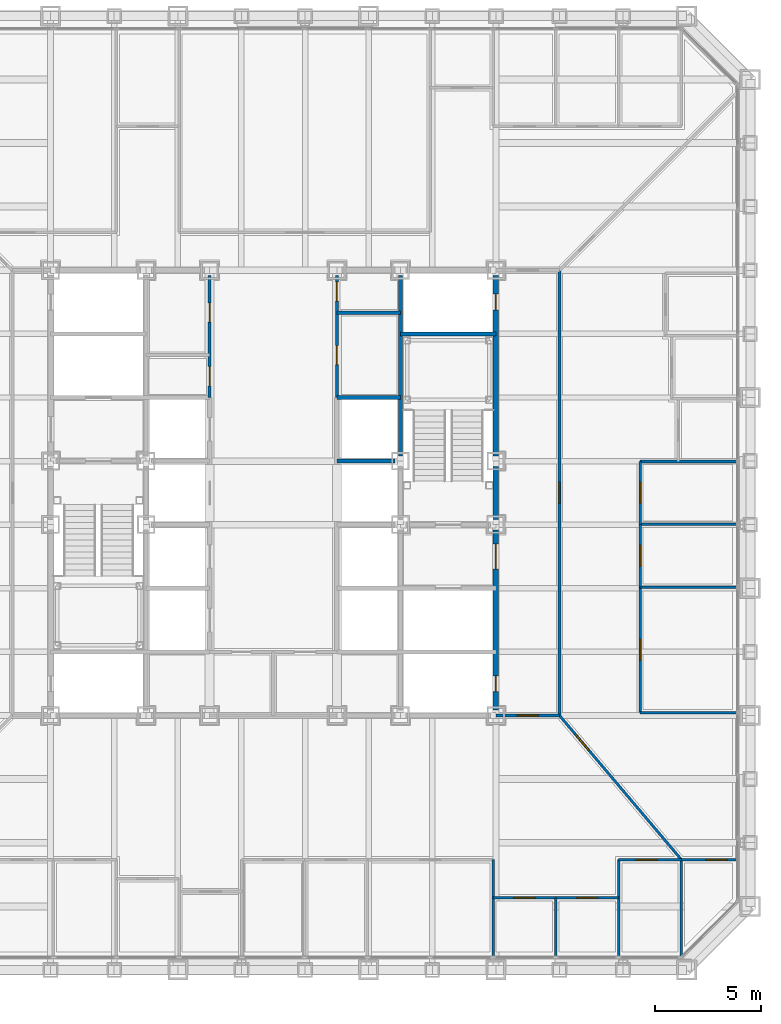
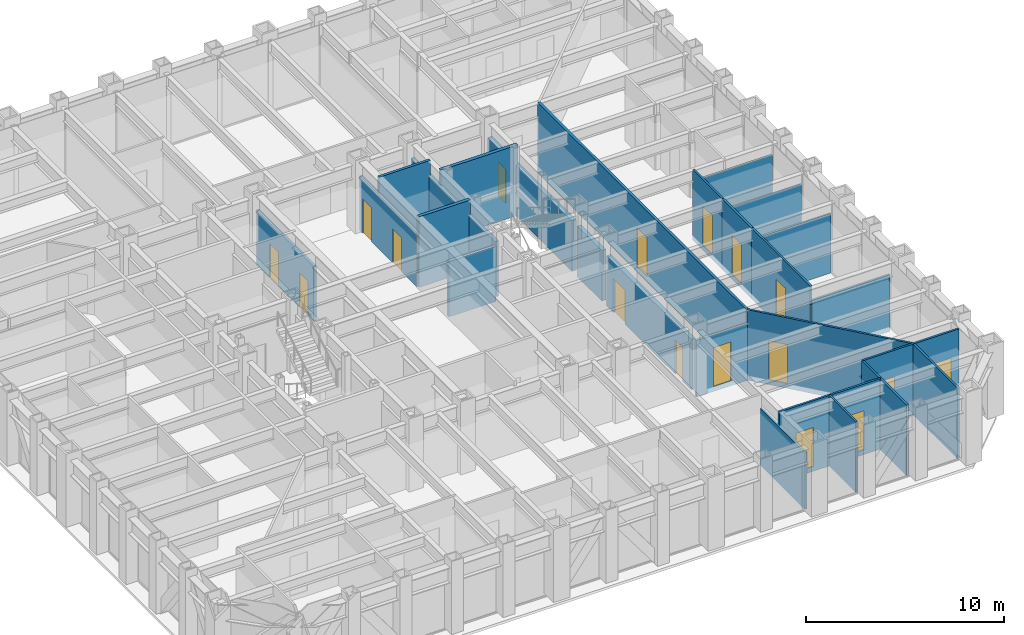
# One storey, part 10 of 16: 28 walls, 17 doors, 17 openings.
"""IFC4 building model written with IfcOpenShell, lengths in metres."""

from ifc_helpers import new_model, si_unit, direction, frame, frame_2d, origin, place, context, subcontext, project, spatial, rectangle, extrude, material, layer, layer_set, type_object, element, fill, save


model = new_model("IFC4")

# Units and contexts
model_context = context("Model", 3, precision=1e-05, world=origin(), true_north=direction((0.0, 1.0)))
body_context = subcontext(model_context, "Body", "Model", "MODEL_VIEW")
ifc_project = project(units=[si_unit("LENGTHUNIT", "METRE"), si_unit("AREAUNIT", "SQUARE_METRE"), si_unit("VOLUMEUNIT", "CUBIC_METRE"), si_unit("PLANEANGLEUNIT", "RADIAN"), si_unit("MASSUNIT", "GRAM", prefix="KILO")], contexts=[model_context])

# Site, building, storey
site_placement = place(None, origin())
site = spatial("IfcSite", under=ifc_project, at=site_placement, CompositionType="ELEMENT")
building_placement = place(site_placement, origin())
building = spatial("IfcBuilding", under=site, at=building_placement, Name="Chuquiago Exchange Tower", CompositionType="ELEMENT")
storey_placement = place(building_placement, frame((0.0, 0.0, 28.800048828125)))
storey = spatial("IfcBuildingStorey", under=building, at=storey_placement, Name="L05", CompositionType="ELEMENT", Elevation=28.800048828125)

# Wall, openings, doors
ifc_material_1 = material(Name="Concrete masonry, fully grouted", Category="masonry")
ifc_layer_1 = layer(ifc_material_1, 0.25)
ifc_layer_set_1 = layer_set([ifc_layer_1], Name="W1 core wall 250")
wall_type_1 = type_object("IfcWallType", Name="W1 core wall 250", PredefinedType="SOLIDWALL", material=ifc_layer_set_1)
wall_1_placement = place(storey_placement, frame((33.0, 12.25, 0.0), z_axis=(0.0, 0.0, 1.0), x_axis=(0.0, 1.0, 0.0)))
wall_1 = element("IfcWall", 1, at=wall_1_placement, inside=storey, type_object=wall_type_1, Name="CW-L05-25-0", PredefinedType="SOLIDWALL", context=body_context, shape_type="SweptSolid", body=[
    extrude(rectangle(XDim=8.5, YDim=0.25, at=frame_2d((4.25, 0.0))), origin(), (0.0, 0.0, 1.0), 3.11279296875),
])
opening_1_placement = place(wall_1_placement, frame((6.64990234375, 0.0, 0.0)))
opening_1 = element("IfcOpeningElement", 2, at=opening_1_placement, cuts=wall_1, Name="Opening L05-004", PredefinedType="OPENING", context=body_context, shape_type="SweptSolid", body=[
    extrude(rectangle(XDim=1.199951171875, YDim=2.10009765625, at=frame_2d((0.60009765625, 1.050048828125))), frame((0.0, 0.135009765625, 0.0), z_axis=(0.0, -1.0, 0.0), x_axis=(1.0, 0.0, 0.0)), (0.0, 0.0, 1.0), 0.27001953125),
])
opening_2_placement = place(wall_1_placement, frame((0.875, 0.0, 0.0)))
opening_2 = element("IfcOpeningElement", 3, at=opening_2_placement, cuts=wall_1, Name="Opening L05-009", PredefinedType="OPENING", context=body_context, shape_type="SweptSolid", body=[
    extrude(rectangle(XDim=0.75, YDim=2.10009765625, at=frame_2d((0.375, 1.050048828125))), frame((0.0, 0.135009765625, 0.0), z_axis=(0.0, -1.0, 0.0), x_axis=(1.0, 0.0, 0.0)), (0.0, 0.0, 1.0), 0.27001953125),
])
ifc_material_2 = material(Name="Steel door, painted", Category="steel")
door_type_1 = type_object("IfcDoorType", Name="D5 firefighting lobby door 1200x2100", OperationType="SINGLE_SWING_LEFT", PredefinedType="DOOR", material=ifc_material_2)
door_1_placement = place(opening_1_placement, origin())
door_1 = element("IfcDoor", 4, at=door_1_placement, inside=storey, type_object=door_type_1, Name="Firefighting lobby 2 door", OperationType="SINGLE_SWING_RIGHT", OverallHeight=2.10009765625, OverallWidth=1.199951171875, PredefinedType="DOOR", context=body_context, shape_type="SweptSolid", body=[
    extrude(rectangle(XDim=1.199951171875, YDim=2.10009765625, at=frame_2d((0.60009765625, 1.050048828125))), frame((0.0, 0.02490234375, 0.0), z_axis=(0.0, -1.0, 0.0), x_axis=(1.0, 0.0, 0.0)), (0.0, 0.0, 1.0), 0.050048828125),
])
fill(opening_1, door_1)
ifc_material_3 = material(Name="Steel door, painted", Category="steel")
door_type_2 = type_object("IfcDoorType", Name="D6 riser access door 750x2100", OperationType="SINGLE_SWING_LEFT", PredefinedType="DOOR", material=ifc_material_3)
door_2_placement = place(opening_2_placement, frame((0.75, 0.0, 0.0), z_axis=(0.0, 0.0, 1.0), x_axis=(-1.0, 0.0, 0.0)))
door_2 = element("IfcDoor", 5, at=door_2_placement, inside=storey, type_object=door_type_2, Name="Riser RE1 door", OperationType="SINGLE_SWING_RIGHT", OverallHeight=2.10009765625, OverallWidth=0.75, PredefinedType="DOOR", context=body_context, shape_type="SweptSolid", body=[
    extrude(rectangle(XDim=0.75, YDim=2.10009765625, at=frame_2d((0.375, 1.050048828125))), frame((0.0, 0.02490234375, 0.0), z_axis=(0.0, -1.0, 0.0), x_axis=(1.0, 0.0, 0.0)), (0.0, 0.0, 1.0), 0.050048828125),
])
fill(opening_2, door_2)

# Wall
wall_2_placement = place(storey_placement, frame((33.0, 21.25, 0.0), z_axis=(0.0, 0.0, 1.0), x_axis=(0.0, 1.0, 0.0)))
element("IfcWall", 6, at=wall_2_placement, inside=storey, type_object=wall_type_1, Name="CW-L05-25-1", PredefinedType="SOLIDWALL", context=body_context, shape_type="SweptSolid", body=[
    extrude(rectangle(XDim=2.5, YDim=0.25, at=frame_2d((1.25, 0.0))), origin(), (0.0, 0.0, 1.0), 3.11279296875),
])

# Wall, opening, door
wall_3_placement = place(storey_placement, frame((33.0, 24.25, 0.0), z_axis=(0.0, 0.0, 1.0), x_axis=(0.0, 1.0, 0.0)))
wall_3 = element("IfcWall", 7, at=wall_3_placement, inside=storey, type_object=wall_type_1, Name="CW-L05-25-2", PredefinedType="SOLIDWALL", context=body_context, shape_type="SweptSolid", body=[
    extrude(rectangle(XDim=8.5, YDim=0.25, at=frame_2d((4.25, 0.0))), origin(), (0.0, 0.0, 1.0), 3.11279296875),
])
opening_3_placement = place(wall_3_placement, frame((6.875, 0.0, 0.0)))
opening_3 = element("IfcOpeningElement", 8, at=opening_3_placement, cuts=wall_3, Name="Opening L05-010", PredefinedType="OPENING", context=body_context, shape_type="SweptSolid", body=[
    extrude(rectangle(XDim=0.75, YDim=2.10009765625, at=frame_2d((0.375, 1.050048828125))), frame((0.0, 0.135009765625, 0.0), z_axis=(0.0, -1.0, 0.0), x_axis=(1.0, 0.0, 0.0)), (0.0, 0.0, 1.0), 0.27001953125),
])
door_3_placement = place(opening_3_placement, frame((0.75, 0.0, 0.0), z_axis=(0.0, 0.0, 1.0), x_axis=(-1.0, 0.0, 0.0)))
door_3 = element("IfcDoor", 9, at=door_3_placement, inside=storey, type_object=door_type_2, Name="Riser RE2 door", OperationType="SINGLE_SWING_LEFT", OverallHeight=2.10009765625, OverallWidth=0.75, PredefinedType="DOOR", context=body_context, shape_type="SweptSolid", body=[
    extrude(rectangle(XDim=0.75, YDim=2.10009765625, at=frame_2d((0.375, 1.050048828125))), frame((0.0, 0.02490234375, 0.0), z_axis=(0.0, -1.0, 0.0), x_axis=(1.0, 0.0, 0.0)), (0.0, 0.0, 1.0), 0.050048828125),
])
fill(opening_3, door_3)

ifc_material_4 = material(Name="Gypsum board on steel studs, acoustic insulation", Category="steel")
ifc_layer_2 = layer(ifc_material_4, 0.14990234375)
ifc_layer_set_2 = layer_set([ifc_layer_2], Name="W11 corridor wall 150")
wall_type_2 = type_object("IfcWallType", Name="W11 corridor wall 150", PredefinedType="PARTITIONING", material=ifc_layer_set_2)
wall_4_placement = place(storey_placement, frame((36.0, 12.0, -0.300048828125), z_axis=(0.0, 0.0, 1.0), x_axis=(0.0, 1.0, 0.0)))
wall_4 = element("IfcWall", 10, at=wall_4_placement, inside=storey, type_object=wall_type_2, Name="PW-L05-GE0", PredefinedType="PARTITIONING", context=body_context, shape_type="SweptSolid", body=[
    extrude(rectangle(XDim=21.0, YDim=0.14990234375, at=frame_2d((10.5, 0.0))), origin(), (0.0, 0.0, 1.0), 4.340087890625),
])
opening_4_placement = place(wall_4_placement, frame((10.0, 0.0, 0.300048828125)))
opening_4 = element("IfcOpeningElement", 11, at=opening_4_placement, cuts=wall_4, Name="Opening L05-053", PredefinedType="OPENING", context=body_context, shape_type="SweptSolid", body=[
    extrude(rectangle(XDim=1.0, YDim=2.39990234375, at=frame_2d((0.5, 1.199951171875))), frame((0.0, 0.0849609375, 0.0), z_axis=(0.0, -1.0, 0.0), x_axis=(1.0, 0.0, 0.0)), (0.0, 0.0, 1.0), 0.169921875),
])
ifc_material_5 = material(Name="Timber door, laminate faced", Category="wood")
door_type_3 = type_object("IfcDoorType", Name="D9 room door 1000x2400", OperationType="SINGLE_SWING_LEFT", PredefinedType="DOOR", material=ifc_material_5)
door_4_placement = place(opening_4_placement, frame((1.0, 0.0, 0.0), z_axis=(0.0, 0.0, 1.0), x_axis=(-1.0, 0.0, 0.0)))
door_4 = element("IfcDoor", 12, at=door_4_placement, inside=storey, type_object=door_type_3, Name="Team area door", OperationType="SINGLE_SWING_RIGHT", OverallHeight=2.39990234375, OverallWidth=1.0, PredefinedType="DOOR", context=body_context, shape_type="SweptSolid", body=[
    extrude(rectangle(XDim=1.0, YDim=2.39990234375, at=frame_2d((0.5, 1.199951171875))), frame((0.0, 0.02490234375, 0.0), z_axis=(0.0, -1.0, 0.0), x_axis=(1.0, 0.0, 0.0)), (0.0, 0.0, 1.0), 0.050048828125),
])
fill(opening_4, door_4)

wall_5_placement = place(storey_placement, frame((33.0, 12.0, -0.300048828125), z_axis=(0.0, 0.0, 1.0), x_axis=(1.0, 0.0, 0.0)))
wall_5 = element("IfcWall", 13, at=wall_5_placement, inside=storey, type_object=wall_type_2, Name="PW-L05-GES0", PredefinedType="PARTITIONING", context=body_context, shape_type="SweptSolid", body=[
    extrude(rectangle(XDim=3.0, YDim=0.14990234375, at=frame_2d((1.5, 0.0))), origin(), (0.0, 0.0, 1.0), 3.4814453125),
])
opening_5_placement = place(wall_5_placement, frame((1.0, 0.0, 0.300048828125)))
opening_5 = element("IfcOpeningElement", 14, at=opening_5_placement, cuts=wall_5, Name="Opening L05-055", PredefinedType="OPENING", context=body_context, shape_type="SweptSolid", body=[
    extrude(rectangle(XDim=1.0, YDim=2.39990234375, at=frame_2d((0.5, 1.199951171875))), frame((0.0, 0.0849609375, 0.0), z_axis=(0.0, -1.0, 0.0), x_axis=(1.0, 0.0, 0.0)), (0.0, 0.0, 1.0), 0.169921875),
])
door_5_placement = place(opening_5_placement, frame((1.0, 0.0, 0.0), z_axis=(0.0, 0.0, 1.0), x_axis=(-1.0, 0.0, 0.0)))
door_5 = element("IfcDoor", 15, at=door_5_placement, inside=storey, type_object=door_type_3, Name="Team area door", OperationType="SINGLE_SWING_RIGHT", OverallHeight=2.39990234375, OverallWidth=1.0, PredefinedType="DOOR", context=body_context, shape_type="SweptSolid", body=[
    extrude(rectangle(XDim=1.0, YDim=2.39990234375, at=frame_2d((0.5, 1.199951171875))), frame((0.0, 0.02490234375, 0.0), z_axis=(0.0, -1.0, 0.0), x_axis=(1.0, 0.0, 0.0)), (0.0, 0.0, 1.0), 0.050048828125),
])
fill(opening_5, door_5)

# Walls
ifc_material_6 = material(Name="Concrete masonry, fully grouted", Category="masonry")
ifc_layer_3 = layer(ifc_material_6, 0.199951171875)
ifc_layer_set_3 = layer_set([ifc_layer_3], Name="W2 shaft wall 200")
wall_type_3 = type_object("IfcWallType", Name="W2 shaft wall 200", PredefinedType="SOLIDWALL", material=ifc_layer_set_3)
wall_6_placement = place(storey_placement, frame((25.5, 24.0, 0.0), z_axis=(0.0, 0.0, 1.0), x_axis=(1.0, 0.0, 0.0)))
element("IfcWall", 16, at=wall_6_placement, inside=storey, type_object=wall_type_3, Name="CW-L05-06-0", PredefinedType="SOLIDWALL", context=body_context, shape_type="SweptSolid", body=[
    extrude(rectangle(XDim=2.75, YDim=0.199951171875, at=frame_2d((1.375, 0.0))), origin(), (0.0, 0.0, 1.0), 3.389892578125),
])
wall_7_placement = place(storey_placement, frame((25.5, 27.0, 0.0), z_axis=(0.0, 0.0, 1.0), x_axis=(1.0, 0.0, 0.0)))
element("IfcWall", 17, at=wall_7_placement, inside=storey, type_object=wall_type_3, Name="CW-L05-08-0", PredefinedType="SOLIDWALL", context=body_context, shape_type="SweptSolid", body=[
    extrude(rectangle(XDim=3.0, YDim=0.199951171875, at=frame_2d((1.5, 0.0))), origin(), (0.0, 0.0, 1.0), 4.33984375),
])
wall_8_placement = place(storey_placement, frame((28.5, 30.0, 0.0), z_axis=(0.0, 0.0, 1.0), x_axis=(1.0, 0.0, 0.0)))
element("IfcWall", 18, at=wall_8_placement, inside=storey, type_object=wall_type_3, Name="CW-L05-10-0", PredefinedType="SOLIDWALL", context=body_context, shape_type="SweptSolid", body=[
    extrude(rectangle(XDim=4.5, YDim=0.199951171875, at=frame_2d((2.25, 0.0))), origin(), (0.0, 0.0, 1.0), 4.33984375),
])
wall_9_placement = place(storey_placement, frame((28.5, 24.25, 0.0), z_axis=(0.0, 0.0, 1.0), x_axis=(0.0, 1.0, 0.0)))
element("IfcWall", 19, at=wall_9_placement, inside=storey, type_object=wall_type_3, Name="CW-L05-24-2", PredefinedType="SOLIDWALL", context=body_context, shape_type="SweptSolid", body=[
    extrude(rectangle(XDim=8.5, YDim=0.199951171875, at=frame_2d((4.25, 0.0))), origin(), (0.0, 0.0, 1.0), 3.412841796875),
])

# Wall, openings, doors
ifc_material_7 = material(Name="Gypsum board on steel studs", Category="steel")
ifc_layer_4 = layer(ifc_material_7, 0.14990234375)
ifc_layer_set_4 = layer_set([ifc_layer_4], Name="W3 core partition 150")
wall_type_4 = type_object("IfcWallType", Name="W3 core partition 150", PredefinedType="PARTITIONING", material=ifc_layer_set_4)
wall_10_placement = place(storey_placement, frame((19.5, 27.0, 0.0), z_axis=(0.0, 0.0, 1.0), x_axis=(0.0, 1.0, 0.0)))
wall_10 = element("IfcWall", 20, at=wall_10_placement, inside=storey, type_object=wall_type_4, Name="CW-L05-20-0", PredefinedType="PARTITIONING", context=body_context, shape_type="SweptSolid", body=[
    extrude(rectangle(XDim=5.75, YDim=0.14990234375, at=frame_2d((2.875, 0.0))), origin(), (0.0, 0.0, 1.0), 3.364501953125),
])
opening_6_placement = place(wall_10_placement, frame((0.550048828125, 0.0, 0.0)))
opening_6 = element("IfcOpeningElement", 21, at=opening_6_placement, cuts=wall_10, Name="Opening L05-011", PredefinedType="OPENING", context=body_context, shape_type="SweptSolid", body=[
    extrude(rectangle(XDim=0.89990234375, YDim=2.10009765625, at=frame_2d((0.449951171875, 1.050048828125))), frame((0.0, 0.0849609375, 0.0), z_axis=(0.0, -1.0, 0.0), x_axis=(1.0, 0.0, 0.0)), (0.0, 0.0, 1.0), 0.169921875),
])
opening_7_placement = place(wall_10_placement, frame((3.550048828125, 0.0, 0.0)))
opening_7 = element("IfcOpeningElement", 22, at=opening_7_placement, cuts=wall_10, Name="Opening L05-012", PredefinedType="OPENING", context=body_context, shape_type="SweptSolid", body=[
    extrude(rectangle(XDim=0.89990234375, YDim=2.10009765625, at=frame_2d((0.449951171875, 1.050048828125))), frame((0.0, 0.0849609375, 0.0), z_axis=(0.0, -1.0, 0.0), x_axis=(1.0, 0.0, 0.0)), (0.0, 0.0, 1.0), 0.169921875),
])
ifc_material_8 = material(Name="Timber door, laminate faced", Category="wood")
door_type_4 = type_object("IfcDoorType", Name="D16 core room door 900x2100", OperationType="SINGLE_SWING_LEFT", PredefinedType="DOOR", material=ifc_material_8)
door_6_placement = place(opening_6_placement, origin())
door_6 = element("IfcDoor", 23, at=door_6_placement, inside=storey, type_object=door_type_4, Name="First aid room door", OperationType="SINGLE_SWING_LEFT", OverallHeight=2.10009765625, OverallWidth=0.89990234375, PredefinedType="DOOR", context=body_context, shape_type="SweptSolid", body=[
    extrude(rectangle(XDim=0.89990234375, YDim=2.10009765625, at=frame_2d((0.449951171875, 1.050048828125))), frame((0.0, 0.02490234375, 0.0), z_axis=(0.0, -1.0, 0.0), x_axis=(1.0, 0.0, 0.0)), (0.0, 0.0, 1.0), 0.050048828125),
])
fill(opening_6, door_6)
ifc_material_9 = material(Name="Timber door, laminate faced", Category="wood")
door_type_5 = type_object("IfcDoorType", Name="D7 toilet door 900x2100", OperationType="SINGLE_SWING_LEFT", PredefinedType="DOOR", material=ifc_material_9)
door_7_placement = place(opening_7_placement, origin())
door_7 = element("IfcDoor", 24, at=door_7_placement, inside=storey, type_object=door_type_5, Name="Male WC door", OperationType="SINGLE_SWING_RIGHT", OverallHeight=2.10009765625, OverallWidth=0.89990234375, PredefinedType="DOOR", context=body_context, shape_type="SweptSolid", body=[
    extrude(rectangle(XDim=0.89990234375, YDim=2.10009765625, at=frame_2d((0.449951171875, 1.050048828125))), frame((0.0, 0.02490234375, 0.0), z_axis=(0.0, -1.0, 0.0), x_axis=(1.0, 0.0, 0.0)), (0.0, 0.0, 1.0), 0.050048828125),
])
fill(opening_7, door_7)

wall_11_placement = place(storey_placement, frame((25.5, 27.0, 0.0), z_axis=(0.0, 0.0, 1.0), x_axis=(0.0, 1.0, 0.0)))
wall_11 = element("IfcWall", 25, at=wall_11_placement, inside=storey, type_object=wall_type_4, Name="CW-L05-23-0", PredefinedType="PARTITIONING", context=body_context, shape_type="SweptSolid", body=[
    extrude(rectangle(XDim=5.75, YDim=0.14990234375, at=frame_2d((2.875, 0.0))), origin(), (0.0, 0.0, 1.0), 3.364501953125),
])
opening_8_placement = place(wall_11_placement, frame((1.550048828125, 0.0, 0.0)))
opening_8 = element("IfcOpeningElement", 26, at=opening_8_placement, cuts=wall_11, Name="Opening L05-013", PredefinedType="OPENING", context=body_context, shape_type="SweptSolid", body=[
    extrude(rectangle(XDim=0.89990234375, YDim=2.10009765625, at=frame_2d((0.449951171875, 1.050048828125))), frame((0.0, 0.0849609375, 0.0), z_axis=(0.0, -1.0, 0.0), x_axis=(1.0, 0.0, 0.0)), (0.0, 0.0, 1.0), 0.169921875),
])
opening_9_placement = place(wall_11_placement, frame((4.550048828125, 0.0, 0.0)))
opening_9 = element("IfcOpeningElement", 27, at=opening_9_placement, cuts=wall_11, Name="Opening L05-014", PredefinedType="OPENING", context=body_context, shape_type="SweptSolid", body=[
    extrude(rectangle(XDim=0.89990234375, YDim=2.10009765625, at=frame_2d((0.449951171875, 1.050048828125))), frame((0.0, 0.0849609375, 0.0), z_axis=(0.0, -1.0, 0.0), x_axis=(1.0, 0.0, 0.0)), (0.0, 0.0, 1.0), 0.169921875),
])
door_8_placement = place(opening_9_placement, frame((0.89990234375, 0.0, 0.0), z_axis=(0.0, 0.0, 1.0), x_axis=(-1.0, 0.0, 0.0)))
door_8 = element("IfcDoor", 28, at=door_8_placement, inside=storey, type_object=door_type_4, Name="Staff shower room door", OperationType="SINGLE_SWING_LEFT", OverallHeight=2.10009765625, OverallWidth=0.89990234375, PredefinedType="DOOR", context=body_context, shape_type="SweptSolid", body=[
    extrude(rectangle(XDim=0.89990234375, YDim=2.10009765625, at=frame_2d((0.449951171875, 1.050048828125))), frame((0.0, 0.02490234375, 0.0), z_axis=(0.0, -1.0, 0.0), x_axis=(1.0, 0.0, 0.0)), (0.0, 0.0, 1.0), 0.050048828125),
])
fill(opening_9, door_8)
door_9_placement = place(opening_8_placement, frame((0.89990234375, 0.0, 0.0), z_axis=(0.0, 0.0, 1.0), x_axis=(-1.0, 0.0, 0.0)))
door_9 = element("IfcDoor", 29, at=door_9_placement, inside=storey, type_object=door_type_5, Name="Female WC door", OperationType="SINGLE_SWING_RIGHT", OverallHeight=2.10009765625, OverallWidth=0.89990234375, PredefinedType="DOOR", context=body_context, shape_type="SweptSolid", body=[
    extrude(rectangle(XDim=0.89990234375, YDim=2.10009765625, at=frame_2d((0.449951171875, 1.050048828125))), frame((0.0, 0.02490234375, 0.0), z_axis=(0.0, -1.0, 0.0), x_axis=(1.0, 0.0, 0.0)), (0.0, 0.0, 1.0), 0.050048828125),
])
fill(opening_8, door_9)

# Walls
wall_12_placement = place(storey_placement, frame((25.5, 31.0, 0.0), z_axis=(0.0, 0.0, 1.0), x_axis=(1.0, 0.0, 0.0)))
element("IfcWall", 30, at=wall_12_placement, inside=storey, type_object=wall_type_4, Name="CW-L05-WCFS", PredefinedType="PARTITIONING", context=body_context, shape_type="SweptSolid", body=[
    extrude(rectangle(XDim=3.0, YDim=0.14990234375, at=frame_2d((1.5, 0.0))), origin(), (0.0, 0.0, 1.0), 4.33984375),
])
ifc_material_10 = material(Name="Gypsum board on steel studs", Category="steel")
ifc_layer_5 = layer(ifc_material_10, 0.1201171875)
ifc_layer_set_5 = layer_set([ifc_layer_5], Name="W4 partition 120")
wall_type_5 = type_object("IfcWallType", Name="W4 partition 120", PredefinedType="PARTITIONING", material=ifc_layer_set_5)
wall_13_placement = place(storey_placement, frame((32.8662109375, 0.657470703125, -0.300048828125), z_axis=(0.0, 0.0, 1.0), x_axis=(0.0, 1.0, 0.0)))
element("IfcWall", 31, at=wall_13_placement, inside=storey, type_object=wall_type_5, Name="PW-L05-S03287", PredefinedType="PARTITIONING", context=body_context, shape_type="SweptSolid", body=[
    extrude(rectangle(XDim=4.54248046875, YDim=0.1201171875, at=frame_2d((2.271240234375, 0.0))), origin(), (0.0, 0.0, 1.0), 3.4814453125),
])
wall_14_placement = place(storey_placement, frame((35.827880859375, 0.657470703125, -0.300048828125), z_axis=(0.0, 0.0, 1.0), x_axis=(0.0, 1.0, 0.0)))
element("IfcWall", 32, at=wall_14_placement, inside=storey, type_object=wall_type_5, Name="PW-L05-S03583", PredefinedType="PARTITIONING", context=body_context, shape_type="SweptSolid", body=[
    extrude(rectangle(XDim=2.742431640625, YDim=0.1201171875, at=frame_2d((1.37109375, 0.0))), origin(), (0.0, 0.0, 1.0), 4.340087890625),
])
wall_15_placement = place(storey_placement, frame((38.789794921875, 0.657470703125, -0.300048828125), z_axis=(0.0, 0.0, 1.0), x_axis=(0.0, 1.0, 0.0)))
element("IfcWall", 33, at=wall_15_placement, inside=storey, type_object=wall_type_5, Name="PW-L05-S03879", PredefinedType="PARTITIONING", context=body_context, shape_type="SweptSolid", body=[
    extrude(rectangle(XDim=4.54248046875, YDim=0.1201171875, at=frame_2d((2.271240234375, 0.0))), origin(), (0.0, 0.0, 1.0), 4.340087890625),
])
wall_16_placement = place(storey_placement, frame((41.75146484375, 0.666015625, -0.300048828125), z_axis=(0.0, 0.0, 1.0), x_axis=(0.0, 1.0, 0.0)))
element("IfcWall", 34, at=wall_16_placement, inside=storey, type_object=wall_type_5, Name="PW-L05-S04175", PredefinedType="PARTITIONING", context=body_context, shape_type="SweptSolid", body=[
    extrude(rectangle(XDim=4.533935546875, YDim=0.1201171875, at=frame_2d((2.26708984375, 0.0))), origin(), (0.0, 0.0, 1.0), 4.340087890625),
])

# Wall, opening, door
wall_17_placement = place(storey_placement, frame((32.8662109375, 3.39990234375, -0.300048828125), z_axis=(0.0, 0.0, 1.0), x_axis=(1.0, 0.0, 0.0)))
wall_17 = element("IfcWall", 35, at=wall_17_placement, inside=storey, type_object=wall_type_5, Name="PW-L05-SF03287", PredefinedType="PARTITIONING", context=body_context, shape_type="SweptSolid", body=[
    extrude(rectangle(XDim=2.961669921875, YDim=0.1201171875, at=frame_2d((1.48095703125, 0.0))), origin(), (0.0, 0.0, 1.0), 4.340087890625),
])
opening_10_placement = place(wall_17_placement, frame((0.98095703125, 0.0, 0.300048828125)))
opening_10 = element("IfcOpeningElement", 36, at=opening_10_placement, cuts=wall_17, Name="Opening L05-029", PredefinedType="OPENING", context=body_context, shape_type="SweptSolid", body=[
    extrude(rectangle(XDim=1.0, YDim=2.39990234375, at=frame_2d((0.5, 1.199951171875))), frame((0.0, 0.070068359375, 0.0), z_axis=(0.0, -1.0, 0.0), x_axis=(1.0, 0.0, 0.0)), (0.0, 0.0, 1.0), 0.14013671875),
])
ifc_material_11 = material(Name="Timber frame door, full height glazed panel", Category="wood")
door_type_6 = type_object("IfcDoorType", Name="D14 glazed meeting room door 1000x2400", OperationType="SINGLE_SWING_LEFT", PredefinedType="DOOR", material=ifc_material_11)
door_10_placement = place(opening_10_placement, frame((1.0, 0.0, 0.0), z_axis=(0.0, 0.0, 1.0), x_axis=(-1.0, 0.0, 0.0)))
door_10 = element("IfcDoor", 37, at=door_10_placement, inside=storey, type_object=door_type_6, Name="Focus room door", OperationType="SINGLE_SWING_LEFT", OverallHeight=2.39990234375, OverallWidth=1.0, PredefinedType="DOOR", context=body_context, shape_type="SweptSolid", body=[
    extrude(rectangle(XDim=1.0, YDim=2.39990234375, at=frame_2d((0.5, 1.199951171875))), frame((0.0, 0.02490234375, 0.0), z_axis=(0.0, -1.0, 0.0), x_axis=(1.0, 0.0, 0.0)), (0.0, 0.0, 1.0), 0.050048828125),
])
fill(opening_10, door_10)

wall_18_placement = place(storey_placement, frame((35.827880859375, 3.39990234375, -0.300048828125), z_axis=(0.0, 0.0, 1.0), x_axis=(1.0, 0.0, 0.0)))
wall_18 = element("IfcWall", 38, at=wall_18_placement, inside=storey, type_object=wall_type_5, Name="PW-L05-SF03583", PredefinedType="PARTITIONING", context=body_context, shape_type="SweptSolid", body=[
    extrude(rectangle(XDim=2.9619140625, YDim=0.1201171875, at=frame_2d((1.48095703125, 0.0))), origin(), (0.0, 0.0, 1.0), 4.340087890625),
])
opening_11_placement = place(wall_18_placement, frame((0.98095703125, 0.0, 0.300048828125)))
opening_11 = element("IfcOpeningElement", 39, at=opening_11_placement, cuts=wall_18, Name="Opening L05-030", PredefinedType="OPENING", context=body_context, shape_type="SweptSolid", body=[
    extrude(rectangle(XDim=1.0, YDim=2.39990234375, at=frame_2d((0.5, 1.199951171875))), frame((0.0, 0.070068359375, 0.0), z_axis=(0.0, -1.0, 0.0), x_axis=(1.0, 0.0, 0.0)), (0.0, 0.0, 1.0), 0.14013671875),
])
door_11_placement = place(opening_11_placement, frame((1.0, 0.0, 0.0), z_axis=(0.0, 0.0, 1.0), x_axis=(-1.0, 0.0, 0.0)))
door_11 = element("IfcDoor", 40, at=door_11_placement, inside=storey, type_object=door_type_6, Name="Focus room door", OperationType="SINGLE_SWING_RIGHT", OverallHeight=2.39990234375, OverallWidth=1.0, PredefinedType="DOOR", context=body_context, shape_type="SweptSolid", body=[
    extrude(rectangle(XDim=1.0, YDim=2.39990234375, at=frame_2d((0.5, 1.199951171875))), frame((0.0, 0.02490234375, 0.0), z_axis=(0.0, -1.0, 0.0), x_axis=(1.0, 0.0, 0.0)), (0.0, 0.0, 1.0), 0.050048828125),
])
fill(opening_11, door_11)

wall_19_placement = place(storey_placement, frame((38.789794921875, 5.199951171875, -0.300048828125), z_axis=(0.0, 0.0, 1.0), x_axis=(1.0, 0.0, 0.0)))
wall_19 = element("IfcWall", 41, at=wall_19_placement, inside=storey, type_object=wall_type_5, Name="PW-L05-SF03879", PredefinedType="PARTITIONING", context=body_context, shape_type="SweptSolid", body=[
    extrude(rectangle(XDim=2.961669921875, YDim=0.1201171875, at=frame_2d((1.48095703125, 0.0))), origin(), (0.0, 0.0, 1.0), 4.340087890625),
])
opening_12_placement = place(wall_19_placement, frame((0.832763671875, 0.0, 0.300048828125)))
opening_12 = element("IfcOpeningElement", 42, at=opening_12_placement, cuts=wall_19, Name="Opening L05-031", PredefinedType="OPENING", context=body_context, shape_type="SweptSolid", body=[
    extrude(rectangle(XDim=1.0, YDim=2.39990234375, at=frame_2d((0.5, 1.199951171875))), frame((0.0, 0.070068359375, 0.0), z_axis=(0.0, -1.0, 0.0), x_axis=(1.0, 0.0, 0.0)), (0.0, 0.0, 1.0), 0.14013671875),
])
door_12_placement = place(opening_12_placement, frame((1.0, 0.0, 0.0), z_axis=(0.0, 0.0, 1.0), x_axis=(-1.0, 0.0, 0.0)))
door_12 = element("IfcDoor", 43, at=door_12_placement, inside=storey, type_object=door_type_3, Name="Office door", OperationType="SINGLE_SWING_RIGHT", OverallHeight=2.39990234375, OverallWidth=1.0, PredefinedType="DOOR", context=body_context, shape_type="SweptSolid", body=[
    extrude(rectangle(XDim=1.0, YDim=2.39990234375, at=frame_2d((0.5, 1.199951171875))), frame((0.0, 0.02490234375, 0.0), z_axis=(0.0, -1.0, 0.0), x_axis=(1.0, 0.0, 0.0)), (0.0, 0.0, 1.0), 0.050048828125),
])
fill(opening_12, door_12)

wall_20_placement = place(storey_placement, frame((41.75146484375, 5.199951171875, -0.300048828125), z_axis=(0.0, 0.0, 1.0), x_axis=(1.0, 0.0, 0.0)))
wall_20 = element("IfcWall", 44, at=wall_20_placement, inside=storey, type_object=wall_type_5, Name="PW-L05-SF04175", PredefinedType="PARTITIONING", context=body_context, shape_type="SweptSolid", body=[
    extrude(rectangle(XDim=2.616455078125, YDim=0.1201171875, at=frame_2d((1.30810546875, 0.0))), origin(), (0.0, 0.0, 1.0), 4.340087890625),
])
opening_13_placement = place(wall_20_placement, frame((1.156494140625, 0.0, 0.300048828125)))
opening_13 = element("IfcOpeningElement", 45, at=opening_13_placement, cuts=wall_20, Name="Opening L05-032", PredefinedType="OPENING", context=body_context, shape_type="SweptSolid", body=[
    extrude(rectangle(XDim=1.0, YDim=2.39990234375, at=frame_2d((0.5, 1.199951171875))), frame((0.0, 0.070068359375, 0.0), z_axis=(0.0, -1.0, 0.0), x_axis=(1.0, 0.0, 0.0)), (0.0, 0.0, 1.0), 0.14013671875),
])
door_13_placement = place(opening_13_placement, frame((1.0, 0.0, 0.0), z_axis=(0.0, 0.0, 1.0), x_axis=(-1.0, 0.0, 0.0)))
door_13 = element("IfcDoor", 46, at=door_13_placement, inside=storey, type_object=door_type_3, Name="Office door", OperationType="SINGLE_SWING_LEFT", OverallHeight=2.39990234375, OverallWidth=1.0, PredefinedType="DOOR", context=body_context, shape_type="SweptSolid", body=[
    extrude(rectangle(XDim=1.0, YDim=2.39990234375, at=frame_2d((0.5, 1.199951171875))), frame((0.0, 0.02490234375, 0.0), z_axis=(0.0, -1.0, 0.0), x_axis=(1.0, 0.0, 0.0)), (0.0, 0.0, 1.0), 0.050048828125),
])
fill(opening_13, door_13)

# Walls
wall_21_placement = place(storey_placement, frame((44.342529296875, 12.1337890625, -0.300048828125), z_axis=(0.0, 0.0, 1.0), x_axis=(-1.0, 0.0, 0.0)))
element("IfcWall", 47, at=wall_21_placement, inside=storey, type_object=wall_type_5, Name="PW-L05-E01213", PredefinedType="PARTITIONING", context=body_context, shape_type="SweptSolid", body=[
    extrude(rectangle(XDim=4.54248046875, YDim=0.1201171875, at=frame_2d((2.271240234375, 0.0))), origin(), (0.0, 0.0, 1.0), 3.4814453125),
])
for number, where, z_axis, x_axis, name in (
    (48, (44.342529296875, 18.057373046875, -0.300048828125), (0.0, 0.0, 1.0), (-1.0, 0.0, 0.0), "PW-L05-E01806"),
    (49, (44.342529296875, 21.01904296875, -0.300048828125), (0.0, 0.0, 1.0), (-1.0, 0.0, 0.0), "PW-L05-E02102"),
    (50, (44.342529296875, 23.98095703125, -0.300048828125), (0.0, 0.0, 1.0), (-1.0, 0.0, 0.0), "PW-L05-E02398"),
):
    element("IfcWall", number, at=place(storey_placement, frame(where, z_axis=z_axis, x_axis=x_axis)), inside=storey, type_object=wall_type_5, Name=name, PredefinedType="PARTITIONING", context=body_context, shape_type="SweptSolid", body=[
        extrude(rectangle(XDim=4.54248046875, YDim=0.1201171875, at=frame_2d((2.271240234375, 0.0))), origin(), (0.0, 0.0, 1.0), 3.646484375),
    ])

# Wall, opening, door
wall_22_placement = place(storey_placement, frame((39.800048828125, 12.1337890625, -0.300048828125), z_axis=(0.0, 0.0, 1.0), x_axis=(0.0, 1.0, 0.0)))
wall_22 = element("IfcWall", 51, at=wall_22_placement, inside=storey, type_object=wall_type_5, Name="PW-L05-EF01213", PredefinedType="PARTITIONING", context=body_context, shape_type="SweptSolid", body=[
    extrude(rectangle(XDim=5.923583984375, YDim=0.1201171875, at=frame_2d((2.9619140625, 0.0))), origin(), (0.0, 0.0, 1.0), 4.340087890625),
])
opening_14_placement = place(wall_22_placement, frame((2.4619140625, 0.0, 0.300048828125)))
opening_14 = element("IfcOpeningElement", 52, at=opening_14_placement, cuts=wall_22, Name="Opening L05-033", PredefinedType="OPENING", context=body_context, shape_type="SweptSolid", body=[
    extrude(rectangle(XDim=1.0, YDim=2.39990234375, at=frame_2d((0.5, 1.199951171875))), frame((0.0, 0.070068359375, 0.0), z_axis=(0.0, -1.0, 0.0), x_axis=(1.0, 0.0, 0.0)), (0.0, 0.0, 1.0), 0.14013671875),
])
door_14_placement = place(opening_14_placement, frame((1.0, 0.0, 0.0), z_axis=(0.0, 0.0, 1.0), x_axis=(-1.0, 0.0, 0.0)))
door_14 = element("IfcDoor", 53, at=door_14_placement, inside=storey, type_object=door_type_6, Name="Meeting room door", OperationType="SINGLE_SWING_RIGHT", OverallHeight=2.39990234375, OverallWidth=1.0, PredefinedType="DOOR", context=body_context, shape_type="SweptSolid", body=[
    extrude(rectangle(XDim=1.0, YDim=2.39990234375, at=frame_2d((0.5, 1.199951171875))), frame((0.0, 0.02490234375, 0.0), z_axis=(0.0, -1.0, 0.0), x_axis=(1.0, 0.0, 0.0)), (0.0, 0.0, 1.0), 0.050048828125),
])
fill(opening_14, door_14)

wall_23_placement = place(storey_placement, frame((39.800048828125, 18.057373046875, -0.300048828125), z_axis=(0.0, 0.0, 1.0), x_axis=(0.0, 1.0, 0.0)))
wall_23 = element("IfcWall", 54, at=wall_23_placement, inside=storey, type_object=wall_type_5, Name="PW-L05-EF01806", PredefinedType="PARTITIONING", context=body_context, shape_type="SweptSolid", body=[
    extrude(rectangle(XDim=2.961669921875, YDim=0.1201171875, at=frame_2d((1.48095703125, 0.0))), origin(), (0.0, 0.0, 1.0), 4.340087890625),
])
opening_15_placement = place(wall_23_placement, frame((0.98095703125, 0.0, 0.300048828125)))
opening_15 = element("IfcOpeningElement", 55, at=opening_15_placement, cuts=wall_23, Name="Opening L05-034", PredefinedType="OPENING", context=body_context, shape_type="SweptSolid", body=[
    extrude(rectangle(XDim=1.0, YDim=2.39990234375, at=frame_2d((0.5, 1.199951171875))), frame((0.0, 0.070068359375, 0.0), z_axis=(0.0, -1.0, 0.0), x_axis=(1.0, 0.0, 0.0)), (0.0, 0.0, 1.0), 0.14013671875),
])
door_15_placement = place(opening_15_placement, frame((1.0, 0.0, 0.0), z_axis=(0.0, 0.0, 1.0), x_axis=(-1.0, 0.0, 0.0)))
door_15 = element("IfcDoor", 56, at=door_15_placement, inside=storey, type_object=door_type_3, Name="Office door", OperationType="SINGLE_SWING_LEFT", OverallHeight=2.39990234375, OverallWidth=1.0, PredefinedType="DOOR", context=body_context, shape_type="SweptSolid", body=[
    extrude(rectangle(XDim=1.0, YDim=2.39990234375, at=frame_2d((0.5, 1.199951171875))), frame((0.0, 0.02490234375, 0.0), z_axis=(0.0, -1.0, 0.0), x_axis=(1.0, 0.0, 0.0)), (0.0, 0.0, 1.0), 0.050048828125),
])
fill(opening_15, door_15)

wall_24_placement = place(storey_placement, frame((39.800048828125, 21.01904296875, -0.300048828125), z_axis=(0.0, 0.0, 1.0), x_axis=(0.0, 1.0, 0.0)))
wall_24 = element("IfcWall", 57, at=wall_24_placement, inside=storey, type_object=wall_type_5, Name="PW-L05-EF02102", PredefinedType="PARTITIONING", context=body_context, shape_type="SweptSolid", body=[
    extrude(rectangle(XDim=2.9619140625, YDim=0.1201171875, at=frame_2d((1.48095703125, 0.0))), origin(), (0.0, 0.0, 1.0), 4.340087890625),
])
opening_16_placement = place(wall_24_placement, frame((0.98095703125, 0.0, 0.300048828125)))
opening_16 = element("IfcOpeningElement", 58, at=opening_16_placement, cuts=wall_24, Name="Opening L05-035", PredefinedType="OPENING", context=body_context, shape_type="SweptSolid", body=[
    extrude(rectangle(XDim=1.0, YDim=2.39990234375, at=frame_2d((0.5, 1.199951171875))), frame((0.0, 0.070068359375, 0.0), z_axis=(0.0, -1.0, 0.0), x_axis=(1.0, 0.0, 0.0)), (0.0, 0.0, 1.0), 0.14013671875),
])
door_16_placement = place(opening_16_placement, frame((1.0, 0.0, 0.0), z_axis=(0.0, 0.0, 1.0), x_axis=(-1.0, 0.0, 0.0)))
door_16 = element("IfcDoor", 59, at=door_16_placement, inside=storey, type_object=door_type_3, Name="Office door", OperationType="SINGLE_SWING_LEFT", OverallHeight=2.39990234375, OverallWidth=1.0, PredefinedType="DOOR", context=body_context, shape_type="SweptSolid", body=[
    extrude(rectangle(XDim=1.0, YDim=2.39990234375, at=frame_2d((0.5, 1.199951171875))), frame((0.0, 0.02490234375, 0.0), z_axis=(0.0, -1.0, 0.0), x_axis=(1.0, 0.0, 0.0)), (0.0, 0.0, 1.0), 0.050048828125),
])
fill(opening_16, door_16)

wall_25_placement = place(storey_placement, frame((36.0, 12.0, -0.300048828125), z_axis=(0.0, 0.0, 1.0), x_axis=(0.645783707661, -0.763520401116, 0.0)))
wall_25 = element("IfcWall", 60, at=wall_25_placement, inside=storey, type_object=wall_type_5, Name="PW-L05-QSE", PredefinedType="PARTITIONING", context=body_context, shape_type="SweptSolid", body=[
    extrude(rectangle(XDim=8.90625, YDim=0.1201171875, at=frame_2d((4.453125, 0.0))), origin(), (0.0, 0.0, 1.0), 4.340087890625),
])
opening_17_placement = place(wall_25_placement, frame((1.166748046875, 0.0, 0.300048828125)))
opening_17 = element("IfcOpeningElement", 61, at=opening_17_placement, cuts=wall_25, Name="Opening L05-059", PredefinedType="OPENING", context=body_context, shape_type="SweptSolid", body=[
    extrude(rectangle(XDim=1.0, YDim=2.39990234375, at=frame_2d((0.5, 1.199951171875))), frame((0.0, 0.070068359375, 0.0), z_axis=(0.0, -1.0, 0.0), x_axis=(1.0, 0.0, 0.0)), (0.0, 0.0, 1.0), 0.14013671875),
])
door_17_placement = place(opening_17_placement, origin())
door_17 = element("IfcDoor", 62, at=door_17_placement, inside=storey, type_object=door_type_3, Name="Team area door", OperationType="SINGLE_SWING_LEFT", OverallHeight=2.39990234375, OverallWidth=1.0, PredefinedType="DOOR", context=body_context, shape_type="SweptSolid", body=[
    extrude(rectangle(XDim=1.0, YDim=2.39990234375, at=frame_2d((0.5, 1.199951171875))), frame((0.0, 0.02490234375, 0.0), z_axis=(0.0, -1.0, 0.0), x_axis=(1.0, 0.0, 0.0)), (0.0, 0.0, 1.0), 0.050048828125),
])
fill(opening_17, door_17)

save(model, "model.ifc")
